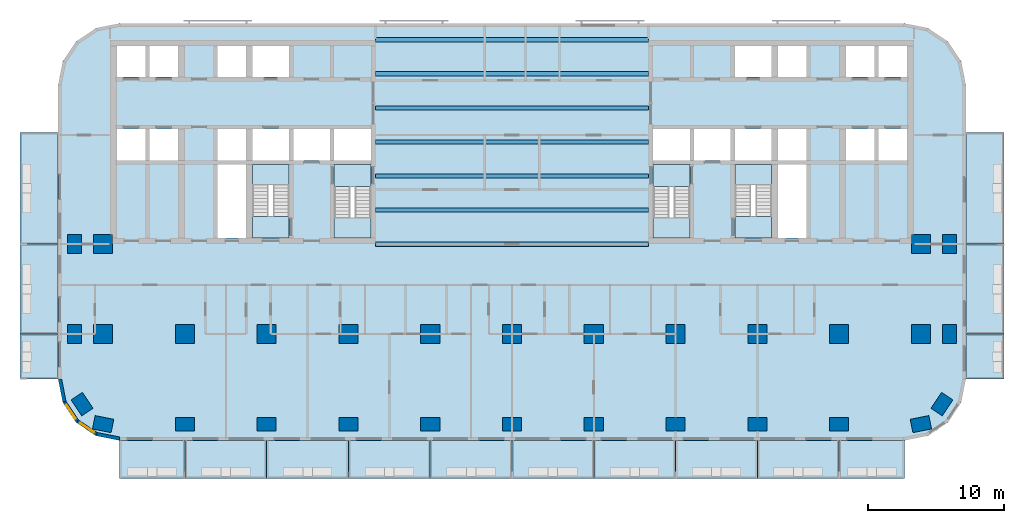
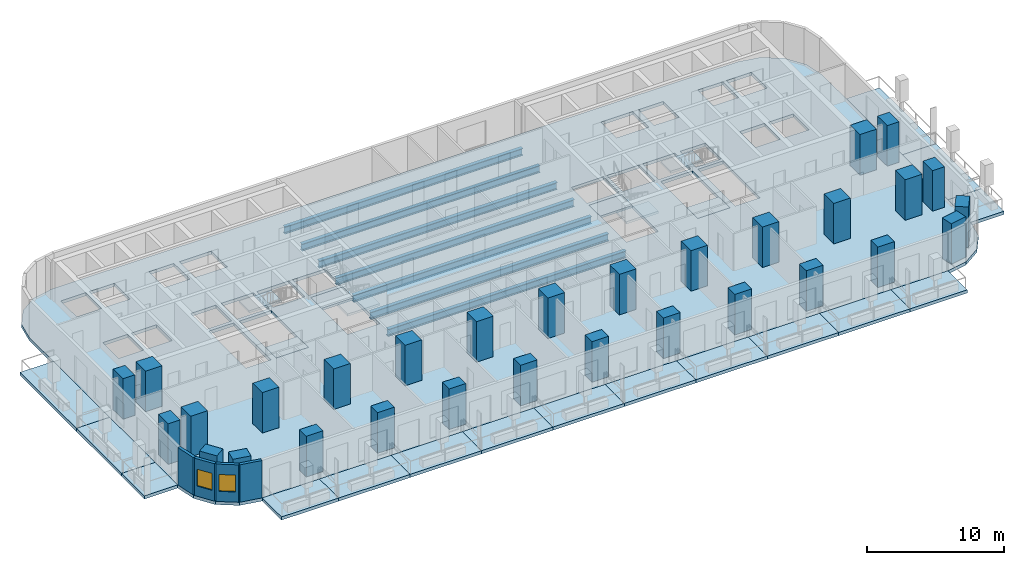
# One storey, part 1 of 14: 30 columns, 25 slabs, 7 beams, 4 walls, 2 windows, 2 openings, 4 elements without a shape of their own.
"""IFC4 building model written with IfcOpenShell, lengths in metres."""

import ifcopenshell
import ifcopenshell.guid

model = None  # the IFC model being written
_history = None  # IfcOwnerHistory: only IFC2X3 demands one
_inside = {}  # id of a spatial element -> (the spatial element, [elements in it])
_under = {}  # id of a project, library or spatial element -> (it, [spatial elements below it])
_declared = {}  # id of a project -> (the project, [libraries it declares])
_typed = {}  # id of a type object -> (the type object, [elements of that type])
_made_of = {}  # id of a material, layer set ... -> (it, [elements and type objects made of it])


def new_model(schema):
    """Start an empty IFC model of exactly this schema.

    Asked for "IFC4X3", IfcOpenShell would pick the latest addendum, in which some entities
    have other attributes; the version numbers below select the first issue.
    IFC2X3 requires an IfcOwnerHistory on every rooted entity: one is made here for all.
    """
    global model, _history
    if schema == "IFC4X3":
        model = ifcopenshell.file(schema_version=(4, 3, 0, 0))
    else:
        model = ifcopenshell.file(schema=schema)
    _inside.clear()
    _under.clear()
    _declared.clear()
    _typed.clear()
    _made_of.clear()
    _history = None
    if model.schema == "IFC2X3":
        org = make("IfcOrganization", Name="unknown")
        user = make(
            "IfcPersonAndOrganization",
            ThePerson=make("IfcPerson", FamilyName="unknown"),
            TheOrganization=org,
        )
        app = make(
            "IfcApplication",
            ApplicationDeveloper=org,
            Version="unknown",
            ApplicationFullName="unknown",
            ApplicationIdentifier="unknown",
        )
        _history = make(
            "IfcOwnerHistory",
            OwningUser=user,
            OwningApplication=app,
            ChangeAction="ADDED",
            CreationDate=0,
        )
    return model


def make(cls, **values):
    """One entity of the class cls with the attributes given. An attribute that is None is left unset."""
    return model.create_entity(
        cls, **{name: value for name, value in values.items() if value is not None}
    )


def rooted(cls, **values):
    """An entity with a GlobalId (a new one), such as an element, a storey or a relation."""
    return make(cls, GlobalId=ifcopenshell.guid.new(), OwnerHistory=_history, **values)


def si_unit(unit_type, name, prefix=None):
    """IfcSIUnit, for example si_unit("LENGTHUNIT", "METRE", prefix="MILLI")."""
    return make("IfcSIUnit", UnitType=unit_type, Prefix=prefix, Name=name)


def assignment(units):
    """IfcUnitAssignment: the units of a project."""
    return None if units is None else make("IfcUnitAssignment", Units=units)


def point(xyz):
    """IfcCartesianPoint."""
    return None if xyz is None else make("IfcCartesianPoint", Coordinates=xyz)


def direction(xyz):
    """IfcDirection."""
    return None if xyz is None else make("IfcDirection", DirectionRatios=xyz)


def frame(location, z_axis=None, x_axis=None):
    """IfcAxis2Placement3D, a coordinate frame: its origin and axes. An axis left out is left unset."""
    return make(
        "IfcAxis2Placement3D",
        Location=point(location),
        Axis=direction(z_axis),
        RefDirection=direction(x_axis),
    )


def frame_2d(location, x_axis=None):
    """IfcAxis2Placement2D, a coordinate frame in the plane: its origin and x axis."""
    return make(
        "IfcAxis2Placement2D", Location=point(location), RefDirection=direction(x_axis)
    )


def origin():
    """The frame at (0, 0, 0) with its axes left unset."""
    return frame((0.0, 0.0, 0.0))


def origin_2d():
    """The frame at (0, 0) in the plane with its x axis left unset."""
    return frame_2d((0.0, 0.0))


def place(relative_to, where):
    """IfcLocalPlacement: puts the frame where relative to a parent placement (None: the world)."""
    return make(
        "IfcLocalPlacement", PlacementRelTo=relative_to, RelativePlacement=where
    )


def context(
    kind, dimensions, precision=None, world=None, true_north=None, identifier=None
):
    """IfcGeometricRepresentationContext, for example the 3D "Model" context."""
    return make(
        "IfcGeometricRepresentationContext",
        ContextIdentifier=identifier,
        ContextType=kind,
        CoordinateSpaceDimension=dimensions,
        Precision=precision,
        WorldCoordinateSystem=world,
        TrueNorth=true_north,
    )


def subcontext(parent, identifier, kind, view, scale=None):
    """IfcGeometricRepresentationSubContext, for example "Body" below "Model"."""
    return make(
        "IfcGeometricRepresentationSubContext",
        ContextIdentifier=identifier,
        ContextType=kind,
        ParentContext=parent,
        TargetScale=scale,
        TargetView=view,
    )


def project(units=None, contexts=None):
    """IfcProject with its units and contexts."""
    return rooted(
        "IfcProject",
        Name="project",
        RepresentationContexts=contexts,
        UnitsInContext=assignment(units),
    )


def spatial(cls, under=None, at=None, **own):
    """A site, building, storey or space (cls), placed at a placement, below another one or the project."""
    s = rooted(cls, ObjectPlacement=at, **own)
    if under is not None:
        _under.setdefault(under.id(), (under, []))[1].append(s)
    return s


def polyline(points):
    """IfcPolyline through the points."""
    return make("IfcPolyline", Points=[point(p) for p in points])


def profile(cls, at=None, kind="AREA", **sizes):
    """A parametric profile (cls). Its sizes go by their IFC names, for example OverallWidth=200.0."""
    return make(cls, ProfileType=kind, Position=at, **sizes)


def rectangle(**sizes):
    """IfcRectangleProfileDef."""
    return profile("IfcRectangleProfileDef", **sizes)


def i_section(**sizes):
    """IfcIShapeProfileDef."""
    return profile("IfcIShapeProfileDef", **sizes)


def outline(outer, holes=None, kind="AREA"):
    """IfcArbitraryClosedProfileDef: a profile drawn as a closed curve; with holes, ...WithVoids."""
    if holes is None:
        return make("IfcArbitraryClosedProfileDef", ProfileType=kind, OuterCurve=outer)
    return make(
        "IfcArbitraryProfileDefWithVoids",
        ProfileType=kind,
        OuterCurve=outer,
        InnerCurves=holes,
    )


def extrude(swept, where, along, depth):
    """IfcExtrudedAreaSolid: the profile swept, set in the frame where, extruded along a direction by depth."""
    return make(
        "IfcExtrudedAreaSolid",
        SweptArea=swept,
        Position=where,
        ExtrudedDirection=direction(along),
        Depth=depth,
    )


def shape(context_of_items, identifier, shape_type, items):
    """IfcShapeRepresentation: the items that make up one representation, for example the "Body"."""
    return make(
        "IfcShapeRepresentation",
        ContextOfItems=context_of_items,
        RepresentationIdentifier=identifier,
        RepresentationType=shape_type,
        Items=items,
    )


def material(Name=None, Category=None):
    """IfcMaterial."""
    return make("IfcMaterial", Name=Name, Category=Category)


def layer(
    of_material, thickness, ventilated=None, Name=None, Category=None, Priority=None
):
    """IfcMaterialLayer: one layer of a wall or slab, of a material (None: an air gap)."""
    return make(
        "IfcMaterialLayer",
        Material=of_material,
        LayerThickness=thickness,
        IsVentilated=ventilated,
        Name=Name,
        Category=Category,
        Priority=Priority,
    )


def layer_set(layers, Name=None):
    """IfcMaterialLayerSet."""
    return make("IfcMaterialLayerSet", MaterialLayers=layers, LayerSetName=Name)


def material_profile(
    of_material, cross_section, Name=None, Category=None, Priority=None
):
    """IfcMaterialProfile: a cross section and its material."""
    return make(
        "IfcMaterialProfile",
        Name=Name,
        Material=of_material,
        Profile=cross_section,
        Priority=Priority,
        Category=Category,
    )


def profile_set(profiles, Name=None, composite=None):
    """IfcMaterialProfileSet."""
    return make(
        "IfcMaterialProfileSet",
        Name=Name,
        MaterialProfiles=profiles,
        CompositeProfile=composite,
    )


def made_of(thing, what):
    """Note that an element or type object is made of a material, layer set ...; save() writes the relation."""
    if what is not None:
        _made_of.setdefault(what.id(), (what, []))[1].append(thing)
    return thing


def type_object(cls, material=None, **own):
    """A type object (cls), such as IfcWallType, which elements share."""
    return made_of(rooted(cls, **own), material)


def element(
    cls,
    number,
    at=None,
    inside=None,
    cuts=None,
    type_object=None,
    material=None,
    context=None,
    identifier="Body",
    shape_type=None,
    held_by="IfcProductDefinitionShape",
    body=None,
    shapes=None,
    **own,
):
    """One element of the class cls, such as IfcWall. Its Tag is "e" and its number.

    at: its placement. inside: the storey or other place that contains it. cuts: it is an
    opening in that element (IfcRelVoidsElement). A single representation is given by context,
    identifier, shape_type and body (its items); several are given by shapes. held_by: the class
    of the entity that holds the representations. save() writes the other relations.
    """
    e = rooted(cls, Tag="e%d" % number, ObjectPlacement=at, **own)
    if body is not None:
        shapes = [shape(context, identifier, shape_type, body)]
    if shapes is not None:
        e.Representation = make(held_by, Representations=shapes)
    if inside is not None:
        _inside.setdefault(inside.id(), (inside, []))[1].append(e)
    if cuts is not None:
        rooted(
            "IfcRelVoidsElement", RelatingBuildingElement=cuts, RelatedOpeningElement=e
        )
    if type_object is not None:
        _typed.setdefault(type_object.id(), (type_object, []))[1].append(e)
    return made_of(e, material)


def fill(opening, filler):
    """IfcRelFillsElement: the door or window that sits in an opening."""
    return rooted(
        "IfcRelFillsElement",
        RelatingOpeningElement=opening,
        RelatedBuildingElement=filler,
    )


def aggregate(whole, parts):
    """IfcRelAggregates: a whole, such as a stair, and the parts it consists of."""
    return rooted("IfcRelAggregates", RelatingObject=whole, RelatedObjects=parts)


def save(model, path):
    """Write the relations noted so far, then the file.

    IfcRelAggregates (storeys below a building ...), IfcRelContainedInSpatialStructure (elements
    in a storey), IfcRelDefinesByType, IfcRelAssociatesMaterial and IfcRelDeclares: one each for
    every whole, place, type object, material and project.
    """
    for whole, parts in _under.values():
        aggregate(whole, parts)
    for where, things in _inside.values():
        rooted(
            "IfcRelContainedInSpatialStructure",
            RelatedElements=things,
            RelatingStructure=where,
        )
    for kind, things in _typed.values():
        rooted("IfcRelDefinesByType", RelatedObjects=things, RelatingType=kind)
    for what, things in _made_of.values():
        rooted("IfcRelAssociatesMaterial", RelatedObjects=things, RelatingMaterial=what)
    for by, libraries in _declared.values():
        rooted("IfcRelDeclares", RelatingContext=by, RelatedDefinitions=libraries)
    model.write(path)


model = new_model("IFC4")

# Units and contexts
model_context = context("Model", 3, precision=1e-05, world=origin(), true_north=direction((0.0, 1.0)))
body_context = subcontext(model_context, "Body", "Model", "MODEL_VIEW")
ifc_project = project(units=[si_unit("LENGTHUNIT", "METRE"), si_unit("AREAUNIT", "SQUARE_METRE"), si_unit("VOLUMEUNIT", "CUBIC_METRE"), si_unit("PLANEANGLEUNIT", "RADIAN"), si_unit("MASSUNIT", "GRAM", prefix="KILO")], contexts=[model_context])

# Site, building, storey
site_placement = place(None, origin())
site = spatial("IfcSite", under=ifc_project, at=site_placement, CompositionType="ELEMENT")
building_placement = place(site_placement, origin())
building = spatial("IfcBuilding", under=site, at=building_placement, Name="Torana Hotel and Residences", CompositionType="ELEMENT")
storey_placement = place(building_placement, frame((0.0, 0.0, 99.60009765625)))
storey = spatial("IfcBuildingStorey", under=building, at=storey_placement, Name="L25", CompositionType="ELEMENT", Elevation=99.60009765625)

# Columns
ifc_material_1 = material(Name="Concrete C70/85", Category="concrete")
ifc_material_profile_1 = material_profile(ifc_material_1, rectangle(XDim=1.39990234375, YDim=1.0, at=origin_2d()), Name="RC 1400x1000")
ifc_profile_set_1 = profile_set([ifc_material_profile_1], Name="Concrete C70/85")
column_type_1 = type_object("IfcColumnType", Name="COLUMN RC 1400x1000 C70/85", PredefinedType="COLUMN", material=ifc_profile_set_1)
for number, where, z_axis, x_axis, name in (
    (1, (-32.10009765625, -21.60009765625, 0.0), (0.0, 0.0, 1.0), (0.0, 1.0, 0.0), "Column L25"),
    (2, (-32.10009765625, -15.0, 0.0), (0.0, 0.0, 1.0), (0.0, 1.0, 0.0), "Column L25"),
    (3, (-31.5439453125, -26.73291015625, 0.0), (0.0, 0.0, 1.0), (-0.555584744817, 0.831459915646, 0.0), "Column L25"),
    (4, (-30.0, -28.199951171875, 0.0), (0.0, 0.0, 1.0), (-0.980792089743, 0.195056086032, 0.0), "Column L25"),
    (5, (-24.0, -28.199951171875, 0.0), (0.0, 0.0, 1.0), (1.0, 0.0, 0.0), "Column L25"),
    (6, (-18.0, -28.199951171875, 0.0), (0.0, 0.0, 1.0), (1.0, 0.0, 0.0), "Column L25"),
    (7, (-12.0, -28.199951171875, 0.0), (0.0, 0.0, 1.0), (1.0, 0.0, 0.0), "Column L25"),
    (8, (-6.0, -28.199951171875, 0.0), (0.0, 0.0, 1.0), (1.0, 0.0, 0.0), "Column L25"),
    (9, (0.0, -28.199951171875, 0.0), (0.0, 0.0, 1.0), (1.0, 0.0, 0.0), "Column L25"),
    (10, (6.0, -28.199951171875, 0.0), (0.0, 0.0, 1.0), (1.0, 0.0, 0.0), "Column L25"),
    (11, (12.0, -28.199951171875, 0.0), (0.0, 0.0, 1.0), (1.0, 0.0, 0.0), "Column L25"),
    (12, (18.0, -28.199951171875, 0.0), (0.0, 0.0, 1.0), (1.0, 0.0, 0.0), "Column L25"),
    (13, (24.0, -28.199951171875, 0.0), (0.0, 0.0, 1.0), (1.0, 0.0, 0.0), "Column L25"),
    (14, (30.0, -28.199951171875, 0.0), (0.0, 0.0, 1.0), (0.980792089743, 0.195056086032, 0.0), "Column L25"),
    (15, (31.5439453125, -26.73291015625, 0.0), (0.0, 0.0, 1.0), (0.555584744817, 0.831459915646, 0.0), "Column L25"),
    (16, (32.10009765625, -21.60009765625, 0.0), (0.0, 0.0, 1.0), (0.0, 1.0, 0.0), "Column L25"),
    (17, (32.10009765625, -15.0, 0.0), (0.0, 0.0, 1.0), (0.0, 1.0, 0.0), "Column L25"),
):
    element("IfcColumn", number, at=place(storey_placement, frame(where, z_axis=z_axis, x_axis=x_axis)), inside=storey, type_object=column_type_1, Name=name, PredefinedType="COLUMN", context=body_context, shape_type="SweptSolid", body=[
        extrude(rectangle(XDim=1.39990234375, YDim=1.0, at=origin_2d()), origin(), (0.0, 0.0, 1.0), 3.599853515625),
    ])
ifc_material_2 = material(Name="Concrete C70/85", Category="concrete")
ifc_material_profile_2 = material_profile(ifc_material_2, rectangle(XDim=1.39990234375, YDim=1.39990234375, at=origin_2d()), Name="RC 1400x1400")
ifc_profile_set_2 = profile_set([ifc_material_profile_2], Name="Concrete C70/85")
column_type_2 = type_object("IfcColumnType", Name="COLUMN RC 1400x1400 C70/85", PredefinedType="COLUMN", material=ifc_profile_set_2)
for number, where, z_axis, x_axis, name in (
    (18, (-30.0, -21.60009765625, 0.0), (0.0, 0.0, 1.0), (1.0, 0.0, 0.0), "Column L25"),
    (19, (-30.0, -15.0, 0.0), (0.0, 0.0, 1.0), (1.0, 0.0, 0.0), "Column L25"),
    (20, (-24.0, -21.60009765625, 0.0), (0.0, 0.0, 1.0), (1.0, 0.0, 0.0), "Column L25"),
    (21, (-18.0, -21.60009765625, 0.0), (0.0, 0.0, 1.0), (1.0, 0.0, 0.0), "Column L25"),
    (22, (-12.0, -21.60009765625, 0.0), (0.0, 0.0, 1.0), (1.0, 0.0, 0.0), "Column L25"),
    (23, (-6.0, -21.60009765625, 0.0), (0.0, 0.0, 1.0), (1.0, 0.0, 0.0), "Column L25"),
    (24, (0.0, -21.60009765625, 0.0), (0.0, 0.0, 1.0), (1.0, 0.0, 0.0), "Column L25"),
    (25, (6.0, -21.60009765625, 0.0), (0.0, 0.0, 1.0), (1.0, 0.0, 0.0), "Column L25"),
    (26, (12.0, -21.60009765625, 0.0), (0.0, 0.0, 1.0), (1.0, 0.0, 0.0), "Column L25"),
    (27, (18.0, -21.60009765625, 0.0), (0.0, 0.0, 1.0), (1.0, 0.0, 0.0), "Column L25"),
    (28, (24.0, -21.60009765625, 0.0), (0.0, 0.0, 1.0), (1.0, 0.0, 0.0), "Column L25"),
    (29, (30.0, -21.60009765625, 0.0), (0.0, 0.0, 1.0), (1.0, 0.0, 0.0), "Column L25"),
    (30, (30.0, -15.0, 0.0), (0.0, 0.0, 1.0), (1.0, 0.0, 0.0), "Column L25"),
):
    element("IfcColumn", number, at=place(storey_placement, frame(where, z_axis=z_axis, x_axis=x_axis)), inside=storey, type_object=column_type_2, Name=name, PredefinedType="COLUMN", context=body_context, shape_type="SweptSolid", body=[
        extrude(rectangle(XDim=1.39990234375, YDim=1.39990234375, at=origin_2d()), origin(), (0.0, 0.0, 1.0), 3.599853515625),
    ])

# Beams
ifc_material_3 = material(Name="Steel S355", Category="steel")
ifc_material_profile_3 = material_profile(ifc_material_3, i_section(OverallWidth=0.311279296875, OverallDepth=0.6357421875, WebThickness=0.018310546875, FlangeThickness=0.031494140625, FilletRadius=0.0166015625, at=origin_2d()), Name="610x305x238 UB")
ifc_profile_set_3 = profile_set([ifc_material_profile_3], Name="Steel S355")
beam_type = type_object("IfcBeamType", Name="STEEL GIRDER 610x305x238 UB", PredefinedType="BEAM", material=ifc_profile_set_3)
for number, where, z_axis, x_axis, name in (
    (31, (-10.0, -15.0, -0.597900390625), (1.0, 0.0, 0.0), (0.0, 1.0, 0.0), "Floor girder"),
    (32, (-10.0, -12.5, -0.597900390625), (1.0, 0.0, 0.0), (0.0, 1.0, 0.0), "Floor girder"),
    (33, (-10.0, -10.0, -0.597900390625), (1.0, 0.0, 0.0), (0.0, 1.0, 0.0), "Floor girder"),
    (34, (-10.0, -7.5, -0.597900390625), (1.0, 0.0, 0.0), (0.0, 1.0, 0.0), "Floor girder"),
    (35, (-10.0, -5.0, -0.597900390625), (1.0, 0.0, 0.0), (0.0, 1.0, 0.0), "Floor girder"),
    (36, (-10.0, -2.5, -0.597900390625), (1.0, 0.0, 0.0), (0.0, 1.0, 0.0), "Floor girder"),
    (37, (-10.0, 0.0, -0.597900390625), (1.0, 0.0, 0.0), (0.0, 1.0, 0.0), "Floor girder"),
):
    element("IfcBeam", number, at=place(storey_placement, frame(where, z_axis=z_axis, x_axis=x_axis)), inside=storey, type_object=beam_type, Name=name, PredefinedType="BEAM", context=body_context, shape_type="SweptSolid", body=[
        extrude(i_section(OverallWidth=0.311279296875, OverallDepth=0.6357421875, WebThickness=0.018310546875, FlangeThickness=0.031494140625, FilletRadius=0.0166015625, at=origin_2d()), origin(), (0.0, 0.0, 1.0), 20.0),
    ])

# Slabs
ifc_material_4 = material(Name="Concrete C40/50", Category="concrete")
ifc_layer_1 = layer(ifc_material_4, 0.280029296875)
ifc_layer_set_1 = layer_set([ifc_layer_1], Name="BAL1 BALCONY SLAB 280")
slab_type_1 = type_object("IfcSlabType", Name="BAL1 BALCONY SLAB 280", PredefinedType="USERDEFINED", material=ifc_layer_set_1)
slab_1_placement = place(storey_placement, frame((0.0, 0.0, -0.280029296875)))
element("IfcSlab", 38, at=slab_1_placement, inside=storey, type_object=slab_type_1, Name="Balcony 01", ObjectType="BALCONY", PredefinedType="USERDEFINED", context=body_context, shape_type="SweptSolid", body=[
    extrude(outline(polyline([(-28.800048828125, -32.199951171875), (-24.0, -32.199951171875), (-24.0, -29.39990234375), (-28.800048828125, -29.39990234375), (-28.800048828125, -32.199951171875)])), origin(), (0.0, 0.0, 1.0), 0.280029296875),
])
slab_2_placement = place(storey_placement, frame((0.0, 0.0, -0.280029296875)))
element("IfcSlab", 39, at=slab_2_placement, inside=storey, type_object=slab_type_1, Name="Balcony 02", ObjectType="BALCONY", PredefinedType="USERDEFINED", context=body_context, shape_type="SweptSolid", body=[
    extrude(outline(polyline([(-24.0, -32.199951171875), (-18.0, -32.199951171875), (-18.0, -29.39990234375), (-24.0, -29.39990234375), (-24.0, -32.199951171875)])), origin(), (0.0, 0.0, 1.0), 0.280029296875),
])
slab_3_placement = place(storey_placement, frame((0.0, 0.0, -0.280029296875)))
element("IfcSlab", 40, at=slab_3_placement, inside=storey, type_object=slab_type_1, Name="Balcony 03", ObjectType="BALCONY", PredefinedType="USERDEFINED", context=body_context, shape_type="SweptSolid", body=[
    extrude(outline(polyline([(-18.0, -32.199951171875), (-12.0, -32.199951171875), (-12.0, -29.39990234375), (-18.0, -29.39990234375), (-18.0, -32.199951171875)])), origin(), (0.0, 0.0, 1.0), 0.280029296875),
])
slab_4_placement = place(storey_placement, frame((0.0, 0.0, -0.280029296875)))
element("IfcSlab", 41, at=slab_4_placement, inside=storey, type_object=slab_type_1, Name="Balcony 04", ObjectType="BALCONY", PredefinedType="USERDEFINED", context=body_context, shape_type="SweptSolid", body=[
    extrude(outline(polyline([(-12.0, -32.199951171875), (-6.0, -32.199951171875), (-6.0, -29.39990234375), (-12.0, -29.39990234375), (-12.0, -32.199951171875)])), origin(), (0.0, 0.0, 1.0), 0.280029296875),
])
slab_5_placement = place(storey_placement, frame((0.0, 0.0, -0.280029296875)))
element("IfcSlab", 42, at=slab_5_placement, inside=storey, type_object=slab_type_1, Name="Balcony 05", ObjectType="BALCONY", PredefinedType="USERDEFINED", context=body_context, shape_type="SweptSolid", body=[
    extrude(outline(polyline([(-6.0, -32.199951171875), (0.0, -32.199951171875), (0.0, -29.39990234375), (-6.0, -29.39990234375), (-6.0, -32.199951171875)])), origin(), (0.0, 0.0, 1.0), 0.280029296875),
])
slab_6_placement = place(storey_placement, frame((0.0, 0.0, -0.280029296875)))
element("IfcSlab", 43, at=slab_6_placement, inside=storey, type_object=slab_type_1, Name="Balcony 06", ObjectType="BALCONY", PredefinedType="USERDEFINED", context=body_context, shape_type="SweptSolid", body=[
    extrude(outline(polyline([(0.0, -32.199951171875), (6.0, -32.199951171875), (6.0, -29.39990234375), (0.0, -29.39990234375), (0.0, -32.199951171875)])), origin(), (0.0, 0.0, 1.0), 0.280029296875),
])
slab_7_placement = place(storey_placement, frame((0.0, 0.0, -0.280029296875)))
element("IfcSlab", 44, at=slab_7_placement, inside=storey, type_object=slab_type_1, Name="Balcony 07", ObjectType="BALCONY", PredefinedType="USERDEFINED", context=body_context, shape_type="SweptSolid", body=[
    extrude(outline(polyline([(6.0, -32.199951171875), (12.0, -32.199951171875), (12.0, -29.39990234375), (6.0, -29.39990234375), (6.0, -32.199951171875)])), origin(), (0.0, 0.0, 1.0), 0.280029296875),
])
slab_8_placement = place(storey_placement, frame((0.0, 0.0, -0.280029296875)))
element("IfcSlab", 45, at=slab_8_placement, inside=storey, type_object=slab_type_1, Name="Balcony 08", ObjectType="BALCONY", PredefinedType="USERDEFINED", context=body_context, shape_type="SweptSolid", body=[
    extrude(outline(polyline([(12.0, -32.199951171875), (18.0, -32.199951171875), (18.0, -29.39990234375), (12.0, -29.39990234375), (12.0, -32.199951171875)])), origin(), (0.0, 0.0, 1.0), 0.280029296875),
])
slab_9_placement = place(storey_placement, frame((0.0, 0.0, -0.280029296875)))
element("IfcSlab", 46, at=slab_9_placement, inside=storey, type_object=slab_type_1, Name="Balcony 09", ObjectType="BALCONY", PredefinedType="USERDEFINED", context=body_context, shape_type="SweptSolid", body=[
    extrude(outline(polyline([(18.0, -32.199951171875), (24.0, -32.199951171875), (24.0, -29.39990234375), (18.0, -29.39990234375), (18.0, -32.199951171875)])), origin(), (0.0, 0.0, 1.0), 0.280029296875),
])
slab_10_placement = place(storey_placement, frame((0.0, 0.0, -0.280029296875)))
element("IfcSlab", 47, at=slab_10_placement, inside=storey, type_object=slab_type_1, Name="Balcony 10", ObjectType="BALCONY", PredefinedType="USERDEFINED", context=body_context, shape_type="SweptSolid", body=[
    extrude(outline(polyline([(24.0, -32.199951171875), (28.800048828125, -32.199951171875), (28.800048828125, -29.39990234375), (24.0, -29.39990234375), (24.0, -32.199951171875)])), origin(), (0.0, 0.0, 1.0), 0.280029296875),
])
slab_11_placement = place(storey_placement, frame((0.0, 0.0, -0.280029296875)))
element("IfcSlab", 48, at=slab_11_placement, inside=storey, type_object=slab_type_1, Name="Balcony 11", ObjectType="BALCONY", PredefinedType="USERDEFINED", context=body_context, shape_type="SweptSolid", body=[
    extrude(outline(polyline([(-36.10009765625, -24.89990234375), (-33.300048828125, -24.89990234375), (-33.300048828125, -21.60009765625), (-36.10009765625, -21.60009765625), (-36.10009765625, -24.89990234375)])), origin(), (0.0, 0.0, 1.0), 0.280029296875),
])
slab_12_placement = place(storey_placement, frame((0.0, 0.0, -0.280029296875)))
element("IfcSlab", 49, at=slab_12_placement, inside=storey, type_object=slab_type_1, Name="Balcony 12", ObjectType="BALCONY", PredefinedType="USERDEFINED", context=body_context, shape_type="SweptSolid", body=[
    extrude(outline(polyline([(-36.10009765625, -21.60009765625), (-33.300048828125, -21.60009765625), (-33.300048828125, -15.0), (-36.10009765625, -15.0), (-36.10009765625, -21.60009765625)])), origin(), (0.0, 0.0, 1.0), 0.280029296875),
])
slab_13_placement = place(storey_placement, frame((0.0, 0.0, -0.280029296875)))
element("IfcSlab", 50, at=slab_13_placement, inside=storey, type_object=slab_type_1, Name="Balcony 13", ObjectType="BALCONY", PredefinedType="USERDEFINED", context=body_context, shape_type="SweptSolid", body=[
    extrude(outline(polyline([(-36.10009765625, -15.0), (-33.300048828125, -15.0), (-33.300048828125, -6.800048828125), (-36.10009765625, -6.800048828125), (-36.10009765625, -15.0)])), origin(), (0.0, 0.0, 1.0), 0.280029296875),
])
slab_14_placement = place(storey_placement, frame((0.0, 0.0, -0.280029296875)))
element("IfcSlab", 51, at=slab_14_placement, inside=storey, type_object=slab_type_1, Name="Balcony 14", ObjectType="BALCONY", PredefinedType="USERDEFINED", context=body_context, shape_type="SweptSolid", body=[
    extrude(outline(polyline([(33.300048828125, -24.89990234375), (36.10009765625, -24.89990234375), (36.10009765625, -21.60009765625), (33.300048828125, -21.60009765625), (33.300048828125, -24.89990234375)])), origin(), (0.0, 0.0, 1.0), 0.280029296875),
])
slab_15_placement = place(storey_placement, frame((0.0, 0.0, -0.280029296875)))
element("IfcSlab", 52, at=slab_15_placement, inside=storey, type_object=slab_type_1, Name="Balcony 15", ObjectType="BALCONY", PredefinedType="USERDEFINED", context=body_context, shape_type="SweptSolid", body=[
    extrude(outline(polyline([(33.300048828125, -21.60009765625), (36.10009765625, -21.60009765625), (36.10009765625, -15.0), (33.300048828125, -15.0), (33.300048828125, -21.60009765625)])), origin(), (0.0, 0.0, 1.0), 0.280029296875),
])
slab_16_placement = place(storey_placement, frame((0.0, 0.0, -0.280029296875)))
element("IfcSlab", 53, at=slab_16_placement, inside=storey, type_object=slab_type_1, Name="Balcony 16", ObjectType="BALCONY", PredefinedType="USERDEFINED", context=body_context, shape_type="SweptSolid", body=[
    extrude(outline(polyline([(33.300048828125, -15.0), (36.10009765625, -15.0), (36.10009765625, -6.800048828125), (33.300048828125, -6.800048828125), (33.300048828125, -15.0)])), origin(), (0.0, 0.0, 1.0), 0.280029296875),
])
ifc_material_5 = material(Name="Concrete C40/50", Category="concrete")
ifc_layer_2 = layer(ifc_material_5, 0.280029296875)
ifc_layer_set_2 = layer_set([ifc_layer_2], Name="FLOOR SLAB PT 280")
slab_type_2 = type_object("IfcSlabType", Name="FLOOR SLAB PT 280", PredefinedType="FLOOR", material=ifc_layer_set_2)
slab_17_placement = place(storey_placement, frame((0.0, 0.0, -0.280029296875)))
element("IfcSlab", 54, at=slab_17_placement, inside=storey, type_object=slab_type_2, Name="Floor slab", PredefinedType="FLOOR", context=body_context, shape_type="SweptSolid", body=[
    extrude(outline(polyline([(33.300048828125, -3.300048828125), (32.95751953125, -1.577880859375), (31.98193359375, -0.117919921875), (30.522216796875, 0.857421875), (28.800048828125, 1.199951171875), (-28.800048828125, 1.199951171875), (-30.522216796875, 0.857421875), (-31.98193359375, -0.117919921875), (-32.95751953125, -1.577880859375), (-33.300048828125, -3.300048828125), (-33.300048828125, -24.89990234375), (-32.95751953125, -26.6220703125), (-31.98193359375, -28.08203125), (-30.522216796875, -29.0576171875), (-28.800048828125, -29.39990234375), (28.800048828125, -29.39990234375), (30.522216796875, -29.0576171875), (31.98193359375, -28.08203125), (32.95751953125, -26.6220703125), (33.300048828125, -24.89990234375), (33.300048828125, -3.300048828125)]), holes=[polyline([(-13.050048828125, -14.550048828125), (-10.35009765625, -14.550048828125), (-10.35009765625, -9.14990234375), (-13.050048828125, -9.14990234375), (-13.050048828125, -14.550048828125)]), polyline([(-19.050048828125, -14.550048828125), (-16.35009765625, -14.550048828125), (-16.35009765625, -9.14990234375), (-19.050048828125, -9.14990234375), (-19.050048828125, -14.550048828125)]), polyline([(-19.050048828125, -2.75), (-16.35009765625, -2.75), (-16.35009765625, -0.449951171875), (-19.050048828125, -0.449951171875), (-19.050048828125, -2.75)]), polyline([(-26.60009765625, -2.75), (-24.5, -2.75), (-24.5, -0.449951171875), (-26.60009765625, -0.449951171875), (-26.60009765625, -2.75)]), polyline([(-29.0, -2.75), (-26.89990234375, -2.75), (-26.89990234375, -0.449951171875), (-29.0, -0.449951171875), (-29.0, -2.75)]), polyline([(-26.60009765625, -8.85009765625), (-24.5, -8.85009765625), (-24.5, -6.550048828125), (-26.60009765625, -6.550048828125), (-26.60009765625, -8.85009765625)]), polyline([(-29.0, -8.85009765625), (-26.89990234375, -8.85009765625), (-26.89990234375, -6.550048828125), (-29.0, -6.550048828125), (-29.0, -8.85009765625)]), polyline([(-21.60009765625, -2.75), (-19.5, -2.75), (-19.5, -0.449951171875), (-21.60009765625, -0.449951171875), (-21.60009765625, -2.75)]), polyline([(-21.60009765625, -8.85009765625), (-19.5, -8.85009765625), (-19.5, -6.550048828125), (-21.60009765625, -6.550048828125), (-21.60009765625, -8.85009765625)]), polyline([(-13.050048828125, -8.85009765625), (-10.35009765625, -8.85009765625), (-10.35009765625, -6.550048828125), (-13.050048828125, -6.550048828125), (-13.050048828125, -8.85009765625)]), polyline([(-16.050048828125, -8.85009765625), (-13.35009765625, -8.85009765625), (-13.35009765625, -6.550048828125), (-16.050048828125, -6.550048828125), (-16.050048828125, -8.85009765625)]), polyline([(-19.050048828125, -8.85009765625), (-16.35009765625, -8.85009765625), (-16.35009765625, -6.550048828125), (-19.050048828125, -6.550048828125), (-19.050048828125, -8.85009765625)]), polyline([(-21.60009765625, -14.550048828125), (-19.5, -14.550048828125), (-19.5, -9.14990234375), (-21.60009765625, -9.14990234375), (-21.60009765625, -14.550048828125)]), polyline([(10.35009765625, -14.550048828125), (13.050048828125, -14.550048828125), (13.050048828125, -9.14990234375), (10.35009765625, -9.14990234375), (10.35009765625, -14.550048828125)]), polyline([(16.35009765625, -14.550048828125), (19.050048828125, -14.550048828125), (19.050048828125, -9.14990234375), (16.35009765625, -9.14990234375), (16.35009765625, -14.550048828125)]), polyline([(16.35009765625, -2.75), (19.050048828125, -2.75), (19.050048828125, -0.449951171875), (16.35009765625, -0.449951171875), (16.35009765625, -2.75)]), polyline([(24.5, -2.75), (26.60009765625, -2.75), (26.60009765625, -0.449951171875), (24.5, -0.449951171875), (24.5, -2.75)]), polyline([(26.89990234375, -2.75), (29.0, -2.75), (29.0, -0.449951171875), (26.89990234375, -0.449951171875), (26.89990234375, -2.75)]), polyline([(24.5, -8.85009765625), (26.60009765625, -8.85009765625), (26.60009765625, -6.550048828125), (24.5, -6.550048828125), (24.5, -8.85009765625)]), polyline([(26.89990234375, -8.85009765625), (29.0, -8.85009765625), (29.0, -6.550048828125), (26.89990234375, -6.550048828125), (26.89990234375, -8.85009765625)]), polyline([(19.5, -2.75), (21.60009765625, -2.75), (21.60009765625, -0.449951171875), (19.5, -0.449951171875), (19.5, -2.75)]), polyline([(19.5, -8.85009765625), (21.60009765625, -8.85009765625), (21.60009765625, -6.550048828125), (19.5, -6.550048828125), (19.5, -8.85009765625)]), polyline([(10.35009765625, -8.85009765625), (13.050048828125, -8.85009765625), (13.050048828125, -6.550048828125), (10.35009765625, -6.550048828125), (10.35009765625, -8.85009765625)]), polyline([(13.35009765625, -8.85009765625), (16.050048828125, -8.85009765625), (16.050048828125, -6.550048828125), (13.35009765625, -6.550048828125), (13.35009765625, -8.85009765625)]), polyline([(16.35009765625, -8.85009765625), (19.050048828125, -8.85009765625), (19.050048828125, -6.550048828125), (16.35009765625, -6.550048828125), (16.35009765625, -8.85009765625)]), polyline([(19.5, -14.550048828125), (21.60009765625, -14.550048828125), (21.60009765625, -9.14990234375), (19.5, -9.14990234375), (19.5, -14.550048828125)])]), origin(), (0.0, 0.0, 1.0), 0.280029296875),
])

# Stair, slabs
ifc_material_6 = material(Name="Concrete C40/50 precast", Category="concrete")
stair_type_1 = type_object("IfcStairType", Name="STAIR ST1 HALF TURN 1200", PredefinedType="HALF_TURN_STAIR", material=ifc_material_6)
stair_1_placement = place(storey_placement, origin())
stair_1 = element("IfcStair", 55, at=stair_1_placement, inside=storey, type_object=stair_type_1, Name="Stair ST1 L25", PredefinedType="HALF_TURN_STAIR")
ifc_material_7 = material(Name="Concrete C40/50 precast", Category="concrete")
ifc_layer_3 = layer(ifc_material_7, 0.199951171875)
ifc_layer_set_3 = layer_set([ifc_layer_3], Name="STAIR LANDING 200")
slab_type_3 = type_object("IfcSlabType", Name="STAIR LANDING 200", PredefinedType="LANDING", material=ifc_layer_set_3)
slab_18_placement = place(storey_placement, frame((0.0, 0.0, 1.599853515625)))
slab_18 = element("IfcSlab", 56, at=slab_18_placement, type_object=slab_type_3, Name="ST1 landing 1", PredefinedType="LANDING", context=body_context, shape_type="SweptSolid", body=[
    extrude(outline(polyline([(-13.050048828125, -14.550048828125), (-10.35009765625, -14.550048828125), (-10.35009765625, -13.090087890625), (-13.050048828125, -13.090087890625), (-13.050048828125, -14.550048828125)])), origin(), (0.0, 0.0, 1.0), 0.199951171875),
])
slab_19_placement = place(storey_placement, frame((0.0, 0.0, -0.2001953125)))
slab_19 = element("IfcSlab", 57, at=slab_19_placement, type_object=slab_type_3, Name="ST1 landing 2", PredefinedType="LANDING", context=body_context, shape_type="SweptSolid", body=[
    extrude(outline(polyline([(-13.050048828125, -10.75), (-10.35009765625, -10.75), (-10.35009765625, -9.14990234375), (-13.050048828125, -9.14990234375), (-13.050048828125, -10.75)])), origin(), (0.0, 0.0, 1.0), 0.2001953125),
])
aggregate(stair_1, [slab_18, slab_19])

ifc_material_8 = material(Name="Concrete C40/50 precast", Category="concrete")
stair_type_2 = type_object("IfcStairType", Name="STAIR ST2 HALF TURN 1200", PredefinedType="HALF_TURN_STAIR", material=ifc_material_8)
stair_2_placement = place(storey_placement, origin())
stair_2 = element("IfcStair", 58, at=stair_2_placement, inside=storey, type_object=stair_type_2, Name="Stair ST2 L25", PredefinedType="HALF_TURN_STAIR")
slab_20_placement = place(storey_placement, frame((0.0, 0.0, 1.599853515625)))
slab_20 = element("IfcSlab", 59, at=slab_20_placement, type_object=slab_type_3, Name="ST2 landing 1", PredefinedType="LANDING", context=body_context, shape_type="SweptSolid", body=[
    extrude(outline(polyline([(-19.050048828125, -10.610107421875), (-16.35009765625, -10.610107421875), (-16.35009765625, -9.14990234375), (-19.050048828125, -9.14990234375), (-19.050048828125, -10.610107421875)])), origin(), (0.0, 0.0, 1.0), 0.199951171875),
])
slab_21_placement = place(storey_placement, frame((0.0, 0.0, -0.2001953125)))
slab_21 = element("IfcSlab", 60, at=slab_21_placement, type_object=slab_type_3, Name="ST2 landing 2", PredefinedType="LANDING", context=body_context, shape_type="SweptSolid", body=[
    extrude(outline(polyline([(-19.050048828125, -14.550048828125), (-16.35009765625, -14.550048828125), (-16.35009765625, -12.949951171875), (-19.050048828125, -12.949951171875), (-19.050048828125, -14.550048828125)])), origin(), (0.0, 0.0, 1.0), 0.2001953125),
])
aggregate(stair_2, [slab_20, slab_21])

ifc_material_9 = material(Name="Concrete C40/50 precast", Category="concrete")
stair_type_3 = type_object("IfcStairType", Name="STAIR ST3 HALF TURN 1200", PredefinedType="HALF_TURN_STAIR", material=ifc_material_9)
stair_3_placement = place(storey_placement, origin())
stair_3 = element("IfcStair", 61, at=stair_3_placement, inside=storey, type_object=stair_type_3, Name="Stair ST3 L25", PredefinedType="HALF_TURN_STAIR")
slab_22_placement = place(storey_placement, frame((0.0, 0.0, 1.599853515625)))
slab_22 = element("IfcSlab", 62, at=slab_22_placement, type_object=slab_type_3, Name="ST3 landing 1", PredefinedType="LANDING", context=body_context, shape_type="SweptSolid", body=[
    extrude(outline(polyline([(10.35009765625, -14.550048828125), (13.050048828125, -14.550048828125), (13.050048828125, -13.090087890625), (10.35009765625, -13.090087890625), (10.35009765625, -14.550048828125)])), origin(), (0.0, 0.0, 1.0), 0.199951171875),
])
slab_23_placement = place(storey_placement, frame((0.0, 0.0, -0.2001953125)))
slab_23 = element("IfcSlab", 63, at=slab_23_placement, type_object=slab_type_3, Name="ST3 landing 2", PredefinedType="LANDING", context=body_context, shape_type="SweptSolid", body=[
    extrude(outline(polyline([(10.35009765625, -10.75), (13.050048828125, -10.75), (13.050048828125, -9.14990234375), (10.35009765625, -9.14990234375), (10.35009765625, -10.75)])), origin(), (0.0, 0.0, 1.0), 0.2001953125),
])
aggregate(stair_3, [slab_22, slab_23])

ifc_material_10 = material(Name="Concrete C40/50 precast", Category="concrete")
stair_type_4 = type_object("IfcStairType", Name="STAIR ST4 HALF TURN 1200", PredefinedType="HALF_TURN_STAIR", material=ifc_material_10)
stair_4_placement = place(storey_placement, origin())
stair_4 = element("IfcStair", 64, at=stair_4_placement, inside=storey, type_object=stair_type_4, Name="Stair ST4 L25", PredefinedType="HALF_TURN_STAIR")
slab_24_placement = place(storey_placement, frame((0.0, 0.0, 1.599853515625)))
slab_24 = element("IfcSlab", 65, at=slab_24_placement, type_object=slab_type_3, Name="ST4 landing 1", PredefinedType="LANDING", context=body_context, shape_type="SweptSolid", body=[
    extrude(outline(polyline([(16.35009765625, -10.610107421875), (19.050048828125, -10.610107421875), (19.050048828125, -9.14990234375), (16.35009765625, -9.14990234375), (16.35009765625, -10.610107421875)])), origin(), (0.0, 0.0, 1.0), 0.199951171875),
])
slab_25_placement = place(storey_placement, frame((0.0, 0.0, -0.2001953125)))
slab_25 = element("IfcSlab", 66, at=slab_25_placement, type_object=slab_type_3, Name="ST4 landing 2", PredefinedType="LANDING", context=body_context, shape_type="SweptSolid", body=[
    extrude(outline(polyline([(16.35009765625, -14.550048828125), (19.050048828125, -14.550048828125), (19.050048828125, -12.949951171875), (16.35009765625, -12.949951171875), (16.35009765625, -14.550048828125)])), origin(), (0.0, 0.0, 1.0), 0.2001953125),
])
aggregate(stair_4, [slab_24, slab_25])

# Wall
ifc_material_11 = material(Name="Black aluminium composite panel", Category="aluminium")
ifc_layer_4 = layer(ifc_material_11, 0.00390625, Name="Cladding", Category="cladding")
ifc_material_12 = material(Name="Ventilated air cavity")
ifc_layer_5 = layer(ifc_material_12, 0.0400390625, Name="Ventilated cavity", Category="cavity")
ifc_material_13 = material(Name="Mineral wool insulation")
ifc_layer_6 = layer(ifc_material_13, 0.090087890625, Name="Insulation", Category="insulation")
ifc_material_14 = material(Name="Steel S280GD", Category="steel")
ifc_layer_7 = layer(ifc_material_14, 0.092041015625, Name="Steel stud frame", Category="structure")
ifc_material_15 = material(Name="Fire rated plasterboard")
ifc_layer_8 = layer(ifc_material_15, 0.011962890625, Name="Inner board", Category="finish")
ifc_layer_9 = layer(ifc_material_15, 0.011962890625, Name="Second board", Category="finish")
ifc_layer_set_4 = layer_set([ifc_layer_4, ifc_layer_5, ifc_layer_6, ifc_layer_7, ifc_layer_8, ifc_layer_9], Name="EW1 EXTERNAL WALL BLACK METAL CLAD 250")
wall_type = type_object("IfcWallType", Name="EW1 EXTERNAL WALL BLACK METAL CLAD 250", PredefinedType="SOLIDWALL", material=ifc_layer_set_4)
wall_1_placement = place(storey_placement, frame((-33.172607421875, -24.89990234375, 0.0), z_axis=(0.0, 0.0, 1.0), x_axis=(0.195166572128, -0.980770110232, 0.0)))
element("IfcWall", 67, at=wall_1_placement, inside=storey, type_object=wall_type, Name="External wall L25 e0.10", PredefinedType="SOLIDWALL", context=body_context, shape_type="SweptSolid", body=[
    extrude(rectangle(XDim=1.68115234375, YDim=0.25, at=frame_2d((0.840576171875, 0.0))), origin(), (0.0, 0.0, 1.0), 3.31982421875),
])

# Wall, opening, window
wall_2_placement = place(storey_placement, frame((-32.825927734375, -26.593994140625, 0.0), z_axis=(0.0, 0.0, 1.0), x_axis=(0.55555029066, -0.831482937015, 0.0)))
wall_2 = element("IfcWall", 68, at=wall_2_placement, inside=storey, type_object=wall_type, Name="External wall L25 e0.11", PredefinedType="SOLIDWALL", context=body_context, shape_type="SweptSolid", body=[
    extrude(rectangle(XDim=1.65625, YDim=0.25, at=frame_2d((0.828125, 0.0))), origin(), (0.0, 0.0, 1.0), 3.31982421875),
])
opening_1_placement = place(wall_2_placement, frame((0.228271484375, 0.0, 0.89990234375)))
opening_1 = element("IfcOpeningElement", 69, at=opening_1_placement, cuts=wall_2, Name="Opening W5", PredefinedType="OPENING", context=body_context, shape_type="SweptSolid", body=[
    extrude(rectangle(XDim=1.199951171875, YDim=1.5, at=frame_2d((0.60009765625, 0.75))), frame((0.0, 0.135009765625, 0.0), z_axis=(0.0, -1.0, 0.0), x_axis=(1.0, 0.0, 0.0)), (0.0, 0.0, 1.0), 0.27001953125),
])
ifc_material_16 = material(Name="Dark glass in black aluminium frame", Category="aluminium")
window_type = type_object("IfcWindowType", Name="W5 CORNER FACET WINDOW 1200x1500", PartitioningType="SINGLE_PANEL", PredefinedType="WINDOW", material=ifc_material_16)
window_1_placement = place(opening_1_placement, origin())
window_1 = element("IfcWindow", 70, at=window_1_placement, inside=storey, type_object=window_type, Name="Window L25 e0.11", OverallHeight=1.5, OverallWidth=1.199951171875, PartitioningType="SINGLE_PANEL", PredefinedType="WINDOW", context=body_context, shape_type="SweptSolid", body=[
    extrude(rectangle(XDim=1.199951171875, YDim=1.5, at=frame_2d((0.60009765625, 0.75))), frame((0.0, 0.030029296875, 0.0), z_axis=(0.0, -1.0, 0.0), x_axis=(1.0, 0.0, 0.0)), (0.0, 0.0, 1.0), 0.06005859375),
])
fill(opening_1, window_1)

wall_3_placement = place(storey_placement, frame((-31.87109375, -28.005615234375, 0.0), z_axis=(0.0, 0.0, 1.0), x_axis=(0.831482937015, -0.55555029066, 0.0)))
wall_3 = element("IfcWall", 71, at=wall_3_placement, inside=storey, type_object=wall_type, Name="External wall L25 e0.12", PredefinedType="SOLIDWALL", context=body_context, shape_type="SweptSolid", body=[
    extrude(rectangle(XDim=1.65625, YDim=0.25, at=frame_2d((0.828125, 0.0))), origin(), (0.0, 0.0, 1.0), 3.31982421875),
])
opening_2_placement = place(wall_3_placement, frame((0.228271484375, 0.0, 0.89990234375)))
opening_2 = element("IfcOpeningElement", 72, at=opening_2_placement, cuts=wall_3, Name="Opening W5", PredefinedType="OPENING", context=body_context, shape_type="SweptSolid", body=[
    extrude(rectangle(XDim=1.199951171875, YDim=1.5, at=frame_2d((0.60009765625, 0.75))), frame((0.0, 0.135009765625, 0.0), z_axis=(0.0, -1.0, 0.0), x_axis=(1.0, 0.0, 0.0)), (0.0, 0.0, 1.0), 0.27001953125),
])
window_2_placement = place(opening_2_placement, origin())
window_2 = element("IfcWindow", 73, at=window_2_placement, inside=storey, type_object=window_type, Name="Window L25 e0.12", OverallHeight=1.5, OverallWidth=1.199951171875, PartitioningType="SINGLE_PANEL", PredefinedType="WINDOW", context=body_context, shape_type="SweptSolid", body=[
    extrude(rectangle(XDim=1.199951171875, YDim=1.5, at=frame_2d((0.60009765625, 0.75))), frame((0.0, 0.030029296875, 0.0), z_axis=(0.0, -1.0, 0.0), x_axis=(1.0, 0.0, 0.0)), (0.0, 0.0, 1.0), 0.06005859375),
])
fill(opening_2, window_2)

# Wall
wall_4_placement = place(storey_placement, frame((-30.448974609375, -28.944580078125, 0.0), z_axis=(0.0, 0.0, 1.0), x_axis=(0.980775640221, -0.19513878023, 0.0)))
element("IfcWall", 74, at=wall_4_placement, inside=storey, type_object=wall_type, Name="External wall L25 e0.13", PredefinedType="SOLIDWALL", context=body_context, shape_type="SweptSolid", body=[
    extrude(rectangle(XDim=1.681396484375, YDim=0.25, at=frame_2d((0.8408203125, 0.0))), origin(), (0.0, 0.0, 1.0), 3.31982421875),
])

save(model, "model.ifc")
